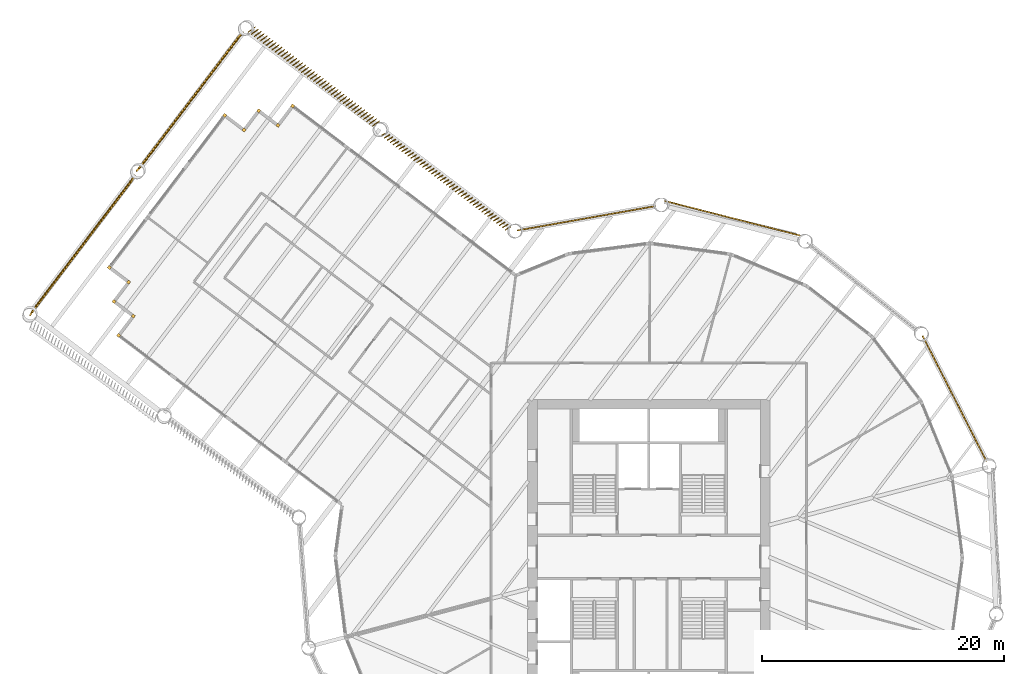
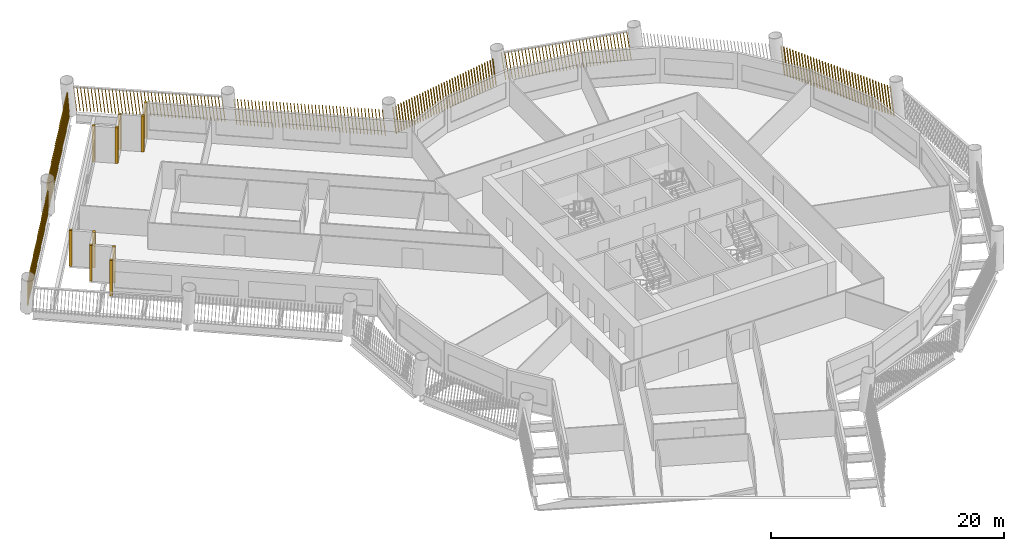
# One storey, part 14 of 16: 17 shading devices.
"""IFC4 building model written with IfcOpenShell, lengths in metres."""

from ifc_helpers import new_model, si_unit, direction, frame, frame_2d, origin, origin_2d, place, context, subcontext, project, spatial, rectangle, composite_profile, extrude, material, type_object, element, save


model = new_model("IFC4")

# Units and contexts
model_context = context("Model", 3, precision=1e-05, world=origin(), true_north=direction((0.0, 1.0)))
body_context = subcontext(model_context, "Body", "Model", "MODEL_VIEW")
ifc_project = project(units=[si_unit("LENGTHUNIT", "METRE"), si_unit("AREAUNIT", "SQUARE_METRE"), si_unit("VOLUMEUNIT", "CUBIC_METRE"), si_unit("PLANEANGLEUNIT", "RADIAN"), si_unit("MASSUNIT", "GRAM", prefix="KILO")], contexts=[model_context])

# Site, building, storey
site_placement = place(None, origin())
site = spatial("IfcSite", under=ifc_project, at=site_placement, CompositionType="ELEMENT")
building_placement = place(site_placement, origin())
building = spatial("IfcBuilding", under=site, at=building_placement, Name="Tarsis Ring Headquarters", CompositionType="ELEMENT")
storey_placement = place(building_placement, frame((0.0, 0.0, 120.10009765625)))
storey = spatial("IfcBuildingStorey", under=building, at=storey_placement, Name="L27", CompositionType="ELEMENT", Elevation=120.10009765625)

# Shading devices
ifc_material = material(Name="Terracotta baguette", Category="masonry")
shading_device_type_1 = type_object("IfcShadingDeviceType", Name="Terracotta baguette screen", PredefinedType="USERDEFINED", material=ifc_material)
shading_device_1_placement = place(storey_placement, frame((27.855224609375, 7.875732421875, 0.0), z_axis=(0.0, 0.0, 1.0), x_axis=(-0.453846988606, 0.891068909387, 0.0)))
element("IfcShadingDevice", 1, at=shading_device_1_placement, inside=storey, type_object=shading_device_type_1, Name="Baguette screen L27-11", ObjectType="Terracotta baguette screen", PredefinedType="USERDEFINED", context=body_context, shape_type="SweptSolid", body=[
    extrude(composite_profile([rectangle(XDim=0.06005859375, YDim=0.1201171875, at=frame_2d((0.030029296875, 0.0))), rectangle(XDim=0.06005859375, YDim=0.1201171875, at=frame_2d((0.33251953125, 0.0))), rectangle(XDim=0.06005859375, YDim=0.1201171875, at=frame_2d((0.634765625, 0.0))), rectangle(XDim=0.06005859375, YDim=0.1201171875, at=frame_2d((0.937255859375, 0.0))), rectangle(XDim=0.06005859375, YDim=0.1201171875, at=frame_2d((1.239501953125, 0.0))), rectangle(XDim=0.06005859375, YDim=0.1201171875, at=frame_2d((1.5419921875, 0.0))), rectangle(XDim=0.06005859375, YDim=0.1201171875, at=frame_2d((1.844482421875, 0.0))), rectangle(XDim=0.06005859375, YDim=0.1201171875, at=frame_2d((2.146728515625, 0.0))), rectangle(XDim=0.06005859375, YDim=0.1201171875, at=frame_2d((2.44921875, 0.0))), rectangle(XDim=0.06005859375, YDim=0.1201171875, at=frame_2d((2.751708984375, 0.0))), rectangle(XDim=0.06005859375, YDim=0.1201171875, at=frame_2d((3.053955078125, 0.0))), rectangle(XDim=0.06005859375, YDim=0.1201171875, at=frame_2d((3.3564453125, 0.0))), rectangle(XDim=0.06005859375, YDim=0.1201171875, at=frame_2d((3.65869140625, 0.0))), rectangle(XDim=0.06005859375, YDim=0.1201171875, at=frame_2d((3.961181640625, 0.0))), rectangle(XDim=0.06005859375, YDim=0.1201171875, at=frame_2d((4.263671875, 0.0))), rectangle(XDim=0.06005859375, YDim=0.1201171875, at=frame_2d((4.56591796875, 0.0))), rectangle(XDim=0.06005859375, YDim=0.1201171875, at=frame_2d((4.868408203125, 0.0))), rectangle(XDim=0.06005859375, YDim=0.1201171875, at=frame_2d((5.1708984375, 0.0))), rectangle(XDim=0.06005859375, YDim=0.1201171875, at=frame_2d((5.47314453125, 0.0))), rectangle(XDim=0.06005859375, YDim=0.1201171875, at=frame_2d((5.775634765625, 0.0))), rectangle(XDim=0.06005859375, YDim=0.1201171875, at=frame_2d((6.077880859375, 0.0))), rectangle(XDim=0.06005859375, YDim=0.1201171875, at=frame_2d((6.38037109375, 0.0))), rectangle(XDim=0.06005859375, YDim=0.1201171875, at=frame_2d((6.682861328125, 0.0))), rectangle(XDim=0.06005859375, YDim=0.1201171875, at=frame_2d((6.985107421875, 0.0))), rectangle(XDim=0.06005859375, YDim=0.1201171875, at=frame_2d((7.28759765625, 0.0))), rectangle(XDim=0.06005859375, YDim=0.1201171875, at=frame_2d((7.590087890625, 0.0))), rectangle(XDim=0.06005859375, YDim=0.1201171875, at=frame_2d((7.892333984375, 0.0))), rectangle(XDim=0.06005859375, YDim=0.1201171875, at=frame_2d((8.19482421875, 0.0))), rectangle(XDim=0.06005859375, YDim=0.1201171875, at=frame_2d((8.4970703125, 0.0))), rectangle(XDim=0.06005859375, YDim=0.1201171875, at=frame_2d((8.799560546875, 0.0))), rectangle(XDim=0.06005859375, YDim=0.1201171875, at=frame_2d((9.10205078125, 0.0))), rectangle(XDim=0.06005859375, YDim=0.1201171875, at=frame_2d((9.404296875, 0.0))), rectangle(XDim=0.06005859375, YDim=0.1201171875, at=frame_2d((9.706787109375, 0.0))), rectangle(XDim=0.06005859375, YDim=0.1201171875, at=frame_2d((10.00927734375, 0.0))), rectangle(XDim=0.06005859375, YDim=0.1201171875, at=frame_2d((10.3115234375, 0.0))), rectangle(XDim=0.06005859375, YDim=0.1201171875, at=frame_2d((10.614013671875, 0.0))), rectangle(XDim=0.06005859375, YDim=0.1201171875, at=frame_2d((10.916259765625, 0.0))), rectangle(XDim=0.06005859375, YDim=0.1201171875, at=frame_2d((11.21875, 0.0)))]), origin(), (0.129819305053, 0.000884424524, 0.991537274049), 2.9775390625),
])
shading_device_2_placement = place(storey_placement, frame((12.5673828125, 26.484619140625, 0.0), z_axis=(0.0, 0.0, 1.0), x_axis=(-0.968920238741, 0.247400976668, 0.0)))
element("IfcShadingDevice", 2, at=shading_device_2_placement, inside=storey, type_object=shading_device_type_1, Name="Baguette screen L27-13", ObjectType="Terracotta baguette screen", PredefinedType="USERDEFINED", context=body_context, shape_type="SweptSolid", body=[
    extrude(composite_profile([rectangle(XDim=0.06005859375, YDim=0.1201171875, at=frame_2d((0.030029296875, 0.0))), rectangle(XDim=0.06005859375, YDim=0.1201171875, at=frame_2d((0.33251953125, 0.0))), rectangle(XDim=0.06005859375, YDim=0.1201171875, at=frame_2d((0.634765625, 0.0))), rectangle(XDim=0.06005859375, YDim=0.1201171875, at=frame_2d((0.937255859375, 0.0))), rectangle(XDim=0.06005859375, YDim=0.1201171875, at=frame_2d((1.239501953125, 0.0))), rectangle(XDim=0.06005859375, YDim=0.1201171875, at=frame_2d((1.5419921875, 0.0))), rectangle(XDim=0.06005859375, YDim=0.1201171875, at=frame_2d((1.844482421875, 0.0))), rectangle(XDim=0.06005859375, YDim=0.1201171875, at=frame_2d((2.146728515625, 0.0))), rectangle(XDim=0.06005859375, YDim=0.1201171875, at=frame_2d((2.44921875, 0.0))), rectangle(XDim=0.06005859375, YDim=0.1201171875, at=frame_2d((2.751708984375, 0.0))), rectangle(XDim=0.06005859375, YDim=0.1201171875, at=frame_2d((3.053955078125, 0.0))), rectangle(XDim=0.06005859375, YDim=0.1201171875, at=frame_2d((3.3564453125, 0.0))), rectangle(XDim=0.06005859375, YDim=0.1201171875, at=frame_2d((3.65869140625, 0.0))), rectangle(XDim=0.06005859375, YDim=0.1201171875, at=frame_2d((3.961181640625, 0.0))), rectangle(XDim=0.06005859375, YDim=0.1201171875, at=frame_2d((4.263671875, 0.0))), rectangle(XDim=0.06005859375, YDim=0.1201171875, at=frame_2d((4.56591796875, 0.0))), rectangle(XDim=0.06005859375, YDim=0.1201171875, at=frame_2d((4.868408203125, 0.0))), rectangle(XDim=0.06005859375, YDim=0.1201171875, at=frame_2d((5.1708984375, 0.0))), rectangle(XDim=0.06005859375, YDim=0.1201171875, at=frame_2d((5.47314453125, 0.0))), rectangle(XDim=0.06005859375, YDim=0.1201171875, at=frame_2d((5.775634765625, 0.0))), rectangle(XDim=0.06005859375, YDim=0.1201171875, at=frame_2d((6.077880859375, 0.0))), rectangle(XDim=0.06005859375, YDim=0.1201171875, at=frame_2d((6.38037109375, 0.0))), rectangle(XDim=0.06005859375, YDim=0.1201171875, at=frame_2d((6.682861328125, 0.0))), rectangle(XDim=0.06005859375, YDim=0.1201171875, at=frame_2d((6.985107421875, 0.0))), rectangle(XDim=0.06005859375, YDim=0.1201171875, at=frame_2d((7.28759765625, 0.0))), rectangle(XDim=0.06005859375, YDim=0.1201171875, at=frame_2d((7.590087890625, 0.0))), rectangle(XDim=0.06005859375, YDim=0.1201171875, at=frame_2d((7.892333984375, 0.0))), rectangle(XDim=0.06005859375, YDim=0.1201171875, at=frame_2d((8.19482421875, 0.0))), rectangle(XDim=0.06005859375, YDim=0.1201171875, at=frame_2d((8.4970703125, 0.0))), rectangle(XDim=0.06005859375, YDim=0.1201171875, at=frame_2d((8.799560546875, 0.0))), rectangle(XDim=0.06005859375, YDim=0.1201171875, at=frame_2d((9.10205078125, 0.0))), rectangle(XDim=0.06005859375, YDim=0.1201171875, at=frame_2d((9.404296875, 0.0))), rectangle(XDim=0.06005859375, YDim=0.1201171875, at=frame_2d((9.706787109375, 0.0))), rectangle(XDim=0.06005859375, YDim=0.1201171875, at=frame_2d((10.00927734375, 0.0))), rectangle(XDim=0.06005859375, YDim=0.1201171875, at=frame_2d((10.3115234375, 0.0))), rectangle(XDim=0.06005859375, YDim=0.1201171875, at=frame_2d((10.614013671875, 0.0))), rectangle(XDim=0.06005859375, YDim=0.1201171875, at=frame_2d((10.916259765625, 0.0))), rectangle(XDim=0.06005859375, YDim=0.1201171875, at=frame_2d((11.21875, 0.0)))]), origin(), (0.13150657601, 0.00089473703, 0.991314894426), 2.978271484375),
])
shading_device_3_placement = place(storey_placement, frame((0.5986328125, 28.94091796875, 0.0), z_axis=(0.0, 0.0, 1.0), x_axis=(-0.984763641099, -0.173959282893, 0.0)))
element("IfcShadingDevice", 3, at=shading_device_3_placement, inside=storey, type_object=shading_device_type_1, Name="Baguette screen L27-14", ObjectType="Terracotta baguette screen", PredefinedType="USERDEFINED", context=body_context, shape_type="SweptSolid", body=[
    extrude(composite_profile([rectangle(XDim=0.06005859375, YDim=0.1201171875, at=frame_2d((0.030029296875, 0.0))), rectangle(XDim=0.06005859375, YDim=0.1201171875, at=frame_2d((0.33251953125, 0.0))), rectangle(XDim=0.06005859375, YDim=0.1201171875, at=frame_2d((0.634765625, 0.0))), rectangle(XDim=0.06005859375, YDim=0.1201171875, at=frame_2d((0.937255859375, 0.0))), rectangle(XDim=0.06005859375, YDim=0.1201171875, at=frame_2d((1.239501953125, 0.0))), rectangle(XDim=0.06005859375, YDim=0.1201171875, at=frame_2d((1.5419921875, 0.0))), rectangle(XDim=0.06005859375, YDim=0.1201171875, at=frame_2d((1.844482421875, 0.0))), rectangle(XDim=0.06005859375, YDim=0.1201171875, at=frame_2d((2.146728515625, 0.0))), rectangle(XDim=0.06005859375, YDim=0.1201171875, at=frame_2d((2.44921875, 0.0))), rectangle(XDim=0.06005859375, YDim=0.1201171875, at=frame_2d((2.751708984375, 0.0))), rectangle(XDim=0.06005859375, YDim=0.1201171875, at=frame_2d((3.053955078125, 0.0))), rectangle(XDim=0.06005859375, YDim=0.1201171875, at=frame_2d((3.3564453125, 0.0))), rectangle(XDim=0.06005859375, YDim=0.1201171875, at=frame_2d((3.65869140625, 0.0))), rectangle(XDim=0.06005859375, YDim=0.1201171875, at=frame_2d((3.961181640625, 0.0))), rectangle(XDim=0.06005859375, YDim=0.1201171875, at=frame_2d((4.263671875, 0.0))), rectangle(XDim=0.06005859375, YDim=0.1201171875, at=frame_2d((4.56591796875, 0.0))), rectangle(XDim=0.06005859375, YDim=0.1201171875, at=frame_2d((4.868408203125, 0.0))), rectangle(XDim=0.06005859375, YDim=0.1201171875, at=frame_2d((5.1708984375, 0.0))), rectangle(XDim=0.06005859375, YDim=0.1201171875, at=frame_2d((5.47314453125, 0.0))), rectangle(XDim=0.06005859375, YDim=0.1201171875, at=frame_2d((5.775634765625, 0.0))), rectangle(XDim=0.06005859375, YDim=0.1201171875, at=frame_2d((6.077880859375, 0.0))), rectangle(XDim=0.06005859375, YDim=0.1201171875, at=frame_2d((6.38037109375, 0.0))), rectangle(XDim=0.06005859375, YDim=0.1201171875, at=frame_2d((6.682861328125, 0.0))), rectangle(XDim=0.06005859375, YDim=0.1201171875, at=frame_2d((6.985107421875, 0.0))), rectangle(XDim=0.06005859375, YDim=0.1201171875, at=frame_2d((7.28759765625, 0.0))), rectangle(XDim=0.06005859375, YDim=0.1201171875, at=frame_2d((7.590087890625, 0.0))), rectangle(XDim=0.06005859375, YDim=0.1201171875, at=frame_2d((7.892333984375, 0.0))), rectangle(XDim=0.06005859375, YDim=0.1201171875, at=frame_2d((8.19482421875, 0.0))), rectangle(XDim=0.06005859375, YDim=0.1201171875, at=frame_2d((8.4970703125, 0.0))), rectangle(XDim=0.06005859375, YDim=0.1201171875, at=frame_2d((8.799560546875, 0.0))), rectangle(XDim=0.06005859375, YDim=0.1201171875, at=frame_2d((9.10205078125, 0.0))), rectangle(XDim=0.06005859375, YDim=0.1201171875, at=frame_2d((9.404296875, 0.0))), rectangle(XDim=0.06005859375, YDim=0.1201171875, at=frame_2d((9.706787109375, 0.0))), rectangle(XDim=0.06005859375, YDim=0.1201171875, at=frame_2d((10.00927734375, 0.0))), rectangle(XDim=0.06005859375, YDim=0.1201171875, at=frame_2d((10.3115234375, 0.0))), rectangle(XDim=0.06005859375, YDim=0.1201171875, at=frame_2d((10.614013671875, 0.0))), rectangle(XDim=0.06005859375, YDim=0.1201171875, at=frame_2d((10.916259765625, 0.0))), rectangle(XDim=0.06005859375, YDim=0.1201171875, at=frame_2d((11.21875, 0.0)))]), origin(), (0.129822153765, 0.000885413169, 0.991536900189), 2.9775390625),
])
shading_device_4_placement = place(storey_placement, frame((-11.369384765625, 27.19921875, 0.0), z_axis=(0.0, 0.0, 1.0), x_axis=(-0.796737814108, 0.604318044202, 0.0)))
element("IfcShadingDevice", 4, at=shading_device_4_placement, inside=storey, type_object=shading_device_type_1, Name="Baguette screen L27-15", ObjectType="Terracotta baguette screen", PredefinedType="USERDEFINED", context=body_context, shape_type="SweptSolid", body=[
    extrude(composite_profile([rectangle(XDim=0.06005859375, YDim=0.1201171875, at=frame_2d((0.030029296875, 0.0))), rectangle(XDim=0.06005859375, YDim=0.1201171875, at=frame_2d((0.335693359375, 0.0))), rectangle(XDim=0.06005859375, YDim=0.1201171875, at=frame_2d((0.6416015625, 0.0))), rectangle(XDim=0.06005859375, YDim=0.1201171875, at=frame_2d((0.947265625, 0.0))), rectangle(XDim=0.06005859375, YDim=0.1201171875, at=frame_2d((1.253173828125, 0.0))), rectangle(XDim=0.06005859375, YDim=0.1201171875, at=frame_2d((1.558837890625, 0.0))), rectangle(XDim=0.06005859375, YDim=0.1201171875, at=frame_2d((1.864501953125, 0.0))), rectangle(XDim=0.06005859375, YDim=0.1201171875, at=frame_2d((2.17041015625, 0.0))), rectangle(XDim=0.06005859375, YDim=0.1201171875, at=frame_2d((2.47607421875, 0.0))), rectangle(XDim=0.06005859375, YDim=0.1201171875, at=frame_2d((2.781982421875, 0.0))), rectangle(XDim=0.06005859375, YDim=0.1201171875, at=frame_2d((3.087646484375, 0.0))), rectangle(XDim=0.06005859375, YDim=0.1201171875, at=frame_2d((3.393310546875, 0.0))), rectangle(XDim=0.06005859375, YDim=0.1201171875, at=frame_2d((3.69921875, 0.0))), rectangle(XDim=0.06005859375, YDim=0.1201171875, at=frame_2d((4.0048828125, 0.0))), rectangle(XDim=0.06005859375, YDim=0.1201171875, at=frame_2d((4.310791015625, 0.0))), rectangle(XDim=0.06005859375, YDim=0.1201171875, at=frame_2d((4.616455078125, 0.0))), rectangle(XDim=0.06005859375, YDim=0.1201171875, at=frame_2d((4.922119140625, 0.0))), rectangle(XDim=0.06005859375, YDim=0.1201171875, at=frame_2d((5.22802734375, 0.0))), rectangle(XDim=0.06005859375, YDim=0.1201171875, at=frame_2d((5.53369140625, 0.0))), rectangle(XDim=0.06005859375, YDim=0.1201171875, at=frame_2d((5.839599609375, 0.0))), rectangle(XDim=0.06005859375, YDim=0.1201171875, at=frame_2d((6.145263671875, 0.0))), rectangle(XDim=0.06005859375, YDim=0.1201171875, at=frame_2d((6.451171875, 0.0))), rectangle(XDim=0.06005859375, YDim=0.1201171875, at=frame_2d((6.7568359375, 0.0))), rectangle(XDim=0.06005859375, YDim=0.1201171875, at=frame_2d((7.0625, 0.0))), rectangle(XDim=0.06005859375, YDim=0.1201171875, at=frame_2d((7.368408203125, 0.0))), rectangle(XDim=0.06005859375, YDim=0.1201171875, at=frame_2d((7.674072265625, 0.0))), rectangle(XDim=0.06005859375, YDim=0.1201171875, at=frame_2d((7.97998046875, 0.0))), rectangle(XDim=0.06005859375, YDim=0.1201171875, at=frame_2d((8.28564453125, 0.0))), rectangle(XDim=0.06005859375, YDim=0.1201171875, at=frame_2d((8.59130859375, 0.0))), rectangle(XDim=0.06005859375, YDim=0.1201171875, at=frame_2d((8.897216796875, 0.0))), rectangle(XDim=0.06005859375, YDim=0.1201171875, at=frame_2d((9.202880859375, 0.0))), rectangle(XDim=0.06005859375, YDim=0.1201171875, at=frame_2d((9.5087890625, 0.0))), rectangle(XDim=0.06005859375, YDim=0.1201171875, at=frame_2d((9.814453125, 0.0))), rectangle(XDim=0.06005859375, YDim=0.1201171875, at=frame_2d((10.1201171875, 0.0))), rectangle(XDim=0.06005859375, YDim=0.1201171875, at=frame_2d((10.426025390625, 0.0))), rectangle(XDim=0.06005859375, YDim=0.1201171875, at=frame_2d((10.731689453125, 0.0))), rectangle(XDim=0.06005859375, YDim=0.1201171875, at=frame_2d((11.03759765625, 0.0))), rectangle(XDim=0.06005859375, YDim=0.1201171875, at=frame_2d((11.34326171875, 0.0))), rectangle(XDim=0.06005859375, YDim=0.1201171875, at=frame_2d((11.64892578125, 0.0))), rectangle(XDim=0.06005859375, YDim=0.1201171875, at=frame_2d((11.954833984375, 0.0))), rectangle(XDim=0.06005859375, YDim=0.1201171875, at=frame_2d((12.260498046875, 0.0))), rectangle(XDim=0.06005859375, YDim=0.1201171875, at=frame_2d((12.56640625, 0.0))), rectangle(XDim=0.06005859375, YDim=0.1201171875, at=frame_2d((12.8720703125, 0.0)))]), origin(), (0.066369389758, 0.145856484604, 0.987076992945), 2.990966796875),
])
shading_device_5_placement = place(storey_placement, frame((-22.21923828125, 35.8994140625, 0.0), z_axis=(0.0, 0.0, 1.0), x_axis=(-0.796737814108, 0.604318044202, 0.0)))
element("IfcShadingDevice", 5, at=shading_device_5_placement, inside=storey, type_object=shading_device_type_1, Name="Baguette screen L27-16", ObjectType="Terracotta baguette screen", PredefinedType="USERDEFINED", context=body_context, shape_type="SweptSolid", body=[
    extrude(composite_profile([rectangle(XDim=0.06005859375, YDim=0.1201171875, at=frame_2d((0.030029296875, 0.0))), rectangle(XDim=0.06005859375, YDim=0.1201171875, at=frame_2d((0.335693359375, 0.0))), rectangle(XDim=0.06005859375, YDim=0.1201171875, at=frame_2d((0.6416015625, 0.0))), rectangle(XDim=0.06005859375, YDim=0.1201171875, at=frame_2d((0.947265625, 0.0))), rectangle(XDim=0.06005859375, YDim=0.1201171875, at=frame_2d((1.253173828125, 0.0))), rectangle(XDim=0.06005859375, YDim=0.1201171875, at=frame_2d((1.558837890625, 0.0))), rectangle(XDim=0.06005859375, YDim=0.1201171875, at=frame_2d((1.864501953125, 0.0))), rectangle(XDim=0.06005859375, YDim=0.1201171875, at=frame_2d((2.17041015625, 0.0))), rectangle(XDim=0.06005859375, YDim=0.1201171875, at=frame_2d((2.47607421875, 0.0))), rectangle(XDim=0.06005859375, YDim=0.1201171875, at=frame_2d((2.781982421875, 0.0))), rectangle(XDim=0.06005859375, YDim=0.1201171875, at=frame_2d((3.087646484375, 0.0))), rectangle(XDim=0.06005859375, YDim=0.1201171875, at=frame_2d((3.393310546875, 0.0))), rectangle(XDim=0.06005859375, YDim=0.1201171875, at=frame_2d((3.69921875, 0.0))), rectangle(XDim=0.06005859375, YDim=0.1201171875, at=frame_2d((4.0048828125, 0.0))), rectangle(XDim=0.06005859375, YDim=0.1201171875, at=frame_2d((4.310791015625, 0.0))), rectangle(XDim=0.06005859375, YDim=0.1201171875, at=frame_2d((4.616455078125, 0.0))), rectangle(XDim=0.06005859375, YDim=0.1201171875, at=frame_2d((4.922119140625, 0.0))), rectangle(XDim=0.06005859375, YDim=0.1201171875, at=frame_2d((5.22802734375, 0.0))), rectangle(XDim=0.06005859375, YDim=0.1201171875, at=frame_2d((5.53369140625, 0.0))), rectangle(XDim=0.06005859375, YDim=0.1201171875, at=frame_2d((5.839599609375, 0.0))), rectangle(XDim=0.06005859375, YDim=0.1201171875, at=frame_2d((6.145263671875, 0.0))), rectangle(XDim=0.06005859375, YDim=0.1201171875, at=frame_2d((6.451171875, 0.0))), rectangle(XDim=0.06005859375, YDim=0.1201171875, at=frame_2d((6.7568359375, 0.0))), rectangle(XDim=0.06005859375, YDim=0.1201171875, at=frame_2d((7.0625, 0.0))), rectangle(XDim=0.06005859375, YDim=0.1201171875, at=frame_2d((7.368408203125, 0.0))), rectangle(XDim=0.06005859375, YDim=0.1201171875, at=frame_2d((7.674072265625, 0.0))), rectangle(XDim=0.06005859375, YDim=0.1201171875, at=frame_2d((7.97998046875, 0.0))), rectangle(XDim=0.06005859375, YDim=0.1201171875, at=frame_2d((8.28564453125, 0.0))), rectangle(XDim=0.06005859375, YDim=0.1201171875, at=frame_2d((8.59130859375, 0.0))), rectangle(XDim=0.06005859375, YDim=0.1201171875, at=frame_2d((8.897216796875, 0.0))), rectangle(XDim=0.06005859375, YDim=0.1201171875, at=frame_2d((9.202880859375, 0.0))), rectangle(XDim=0.06005859375, YDim=0.1201171875, at=frame_2d((9.5087890625, 0.0))), rectangle(XDim=0.06005859375, YDim=0.1201171875, at=frame_2d((9.814453125, 0.0))), rectangle(XDim=0.06005859375, YDim=0.1201171875, at=frame_2d((10.1201171875, 0.0))), rectangle(XDim=0.06005859375, YDim=0.1201171875, at=frame_2d((10.426025390625, 0.0))), rectangle(XDim=0.06005859375, YDim=0.1201171875, at=frame_2d((10.731689453125, 0.0))), rectangle(XDim=0.06005859375, YDim=0.1201171875, at=frame_2d((11.03759765625, 0.0))), rectangle(XDim=0.06005859375, YDim=0.1201171875, at=frame_2d((11.34326171875, 0.0))), rectangle(XDim=0.06005859375, YDim=0.1201171875, at=frame_2d((11.64892578125, 0.0))), rectangle(XDim=0.06005859375, YDim=0.1201171875, at=frame_2d((11.954833984375, 0.0))), rectangle(XDim=0.06005859375, YDim=0.1201171875, at=frame_2d((12.260498046875, 0.0))), rectangle(XDim=0.06005859375, YDim=0.1201171875, at=frame_2d((12.56640625, 0.0))), rectangle(XDim=0.06005859375, YDim=0.1201171875, at=frame_2d((12.8720703125, 0.0)))]), origin(), (0.066892202656, 0.20681353153, 0.976090977522), 3.024658203125),
])
shading_device_6_placement = place(storey_placement, frame((-33.426025390625, 43.301513671875, 0.0), z_axis=(0.0, 0.0, 1.0), x_axis=(-0.604334365325, -0.796727111897, 0.0)))
element("IfcShadingDevice", 6, at=shading_device_6_placement, inside=storey, type_object=shading_device_type_1, Name="Baguette screen L27-17", ObjectType="Terracotta baguette screen", PredefinedType="USERDEFINED", context=body_context, shape_type="SweptSolid", body=[
    extrude(composite_profile([rectangle(XDim=0.06005859375, YDim=0.1201171875, at=frame_2d((0.030029296875, 0.0))), rectangle(XDim=0.06005859375, YDim=0.1201171875, at=frame_2d((0.33544921875, 0.0))), rectangle(XDim=0.06005859375, YDim=0.1201171875, at=frame_2d((0.640625, 0.0))), rectangle(XDim=0.06005859375, YDim=0.1201171875, at=frame_2d((0.946044921875, 0.0))), rectangle(XDim=0.06005859375, YDim=0.1201171875, at=frame_2d((1.25146484375, 0.0))), rectangle(XDim=0.06005859375, YDim=0.1201171875, at=frame_2d((1.556640625, 0.0))), rectangle(XDim=0.06005859375, YDim=0.1201171875, at=frame_2d((1.862060546875, 0.0))), rectangle(XDim=0.06005859375, YDim=0.1201171875, at=frame_2d((2.16748046875, 0.0))), rectangle(XDim=0.06005859375, YDim=0.1201171875, at=frame_2d((2.47265625, 0.0))), rectangle(XDim=0.06005859375, YDim=0.1201171875, at=frame_2d((2.778076171875, 0.0))), rectangle(XDim=0.06005859375, YDim=0.1201171875, at=frame_2d((3.08349609375, 0.0))), rectangle(XDim=0.06005859375, YDim=0.1201171875, at=frame_2d((3.388671875, 0.0))), rectangle(XDim=0.06005859375, YDim=0.1201171875, at=frame_2d((3.694091796875, 0.0))), rectangle(XDim=0.06005859375, YDim=0.1201171875, at=frame_2d((3.99951171875, 0.0))), rectangle(XDim=0.06005859375, YDim=0.1201171875, at=frame_2d((4.3046875, 0.0))), rectangle(XDim=0.06005859375, YDim=0.1201171875, at=frame_2d((4.610107421875, 0.0))), rectangle(XDim=0.06005859375, YDim=0.1201171875, at=frame_2d((4.91552734375, 0.0))), rectangle(XDim=0.06005859375, YDim=0.1201171875, at=frame_2d((5.220703125, 0.0))), rectangle(XDim=0.06005859375, YDim=0.1201171875, at=frame_2d((5.526123046875, 0.0))), rectangle(XDim=0.06005859375, YDim=0.1201171875, at=frame_2d((5.83154296875, 0.0))), rectangle(XDim=0.06005859375, YDim=0.1201171875, at=frame_2d((6.13671875, 0.0))), rectangle(XDim=0.06005859375, YDim=0.1201171875, at=frame_2d((6.442138671875, 0.0))), rectangle(XDim=0.06005859375, YDim=0.1201171875, at=frame_2d((6.74755859375, 0.0))), rectangle(XDim=0.06005859375, YDim=0.1201171875, at=frame_2d((7.052734375, 0.0))), rectangle(XDim=0.06005859375, YDim=0.1201171875, at=frame_2d((7.358154296875, 0.0))), rectangle(XDim=0.06005859375, YDim=0.1201171875, at=frame_2d((7.66357421875, 0.0))), rectangle(XDim=0.06005859375, YDim=0.1201171875, at=frame_2d((7.96875, 0.0))), rectangle(XDim=0.06005859375, YDim=0.1201171875, at=frame_2d((8.274169921875, 0.0))), rectangle(XDim=0.06005859375, YDim=0.1201171875, at=frame_2d((8.57958984375, 0.0))), rectangle(XDim=0.06005859375, YDim=0.1201171875, at=frame_2d((8.884765625, 0.0))), rectangle(XDim=0.06005859375, YDim=0.1201171875, at=frame_2d((9.190185546875, 0.0))), rectangle(XDim=0.06005859375, YDim=0.1201171875, at=frame_2d((9.49560546875, 0.0))), rectangle(XDim=0.06005859375, YDim=0.1201171875, at=frame_2d((9.80078125, 0.0))), rectangle(XDim=0.06005859375, YDim=0.1201171875, at=frame_2d((10.106201171875, 0.0))), rectangle(XDim=0.06005859375, YDim=0.1201171875, at=frame_2d((10.41162109375, 0.0))), rectangle(XDim=0.06005859375, YDim=0.1201171875, at=frame_2d((10.716796875, 0.0))), rectangle(XDim=0.06005859375, YDim=0.1201171875, at=frame_2d((11.022216796875, 0.0))), rectangle(XDim=0.06005859375, YDim=0.1201171875, at=frame_2d((11.32763671875, 0.0))), rectangle(XDim=0.06005859375, YDim=0.1201171875, at=frame_2d((11.6328125, 0.0))), rectangle(XDim=0.06005859375, YDim=0.1201171875, at=frame_2d((11.938232421875, 0.0))), rectangle(XDim=0.06005859375, YDim=0.1201171875, at=frame_2d((12.24365234375, 0.0))), rectangle(XDim=0.06005859375, YDim=0.1201171875, at=frame_2d((12.548828125, 0.0))), rectangle(XDim=0.06005859375, YDim=0.1201171875, at=frame_2d((12.854248046875, 0.0))), rectangle(XDim=0.06005859375, YDim=0.1201171875, at=frame_2d((13.15966796875, 0.0))), rectangle(XDim=0.06005859375, YDim=0.1201171875, at=frame_2d((13.46484375, 0.0))), rectangle(XDim=0.06005859375, YDim=0.1201171875, at=frame_2d((13.770263671875, 0.0)))]), origin(), (0.23664112405, -0.031519960707, 0.971085717373), 3.040283203125),
])
shading_device_7_placement = place(storey_placement, frame((-42.3701171875, 31.509765625, 0.0), z_axis=(0.0, 0.0, 1.0), x_axis=(-0.604316674038, -0.796744803184, 0.0)))
element("IfcShadingDevice", 7, at=shading_device_7_placement, inside=storey, type_object=shading_device_type_1, Name="Baguette screen L27-18", ObjectType="Terracotta baguette screen", PredefinedType="USERDEFINED", context=body_context, shape_type="SweptSolid", body=[
    extrude(composite_profile([rectangle(XDim=0.06005859375, YDim=0.1201171875, at=frame_2d((0.030029296875, 0.0))), rectangle(XDim=0.06005859375, YDim=0.1201171875, at=frame_2d((0.33544921875, 0.0))), rectangle(XDim=0.06005859375, YDim=0.1201171875, at=frame_2d((0.640625, 0.0))), rectangle(XDim=0.06005859375, YDim=0.1201171875, at=frame_2d((0.946044921875, 0.0))), rectangle(XDim=0.06005859375, YDim=0.1201171875, at=frame_2d((1.25146484375, 0.0))), rectangle(XDim=0.06005859375, YDim=0.1201171875, at=frame_2d((1.556640625, 0.0))), rectangle(XDim=0.06005859375, YDim=0.1201171875, at=frame_2d((1.862060546875, 0.0))), rectangle(XDim=0.06005859375, YDim=0.1201171875, at=frame_2d((2.16748046875, 0.0))), rectangle(XDim=0.06005859375, YDim=0.1201171875, at=frame_2d((2.47265625, 0.0))), rectangle(XDim=0.06005859375, YDim=0.1201171875, at=frame_2d((2.778076171875, 0.0))), rectangle(XDim=0.06005859375, YDim=0.1201171875, at=frame_2d((3.08349609375, 0.0))), rectangle(XDim=0.06005859375, YDim=0.1201171875, at=frame_2d((3.388671875, 0.0))), rectangle(XDim=0.06005859375, YDim=0.1201171875, at=frame_2d((3.694091796875, 0.0))), rectangle(XDim=0.06005859375, YDim=0.1201171875, at=frame_2d((3.99951171875, 0.0))), rectangle(XDim=0.06005859375, YDim=0.1201171875, at=frame_2d((4.3046875, 0.0))), rectangle(XDim=0.06005859375, YDim=0.1201171875, at=frame_2d((4.610107421875, 0.0))), rectangle(XDim=0.06005859375, YDim=0.1201171875, at=frame_2d((4.91552734375, 0.0))), rectangle(XDim=0.06005859375, YDim=0.1201171875, at=frame_2d((5.220703125, 0.0))), rectangle(XDim=0.06005859375, YDim=0.1201171875, at=frame_2d((5.526123046875, 0.0))), rectangle(XDim=0.06005859375, YDim=0.1201171875, at=frame_2d((5.83154296875, 0.0))), rectangle(XDim=0.06005859375, YDim=0.1201171875, at=frame_2d((6.13671875, 0.0))), rectangle(XDim=0.06005859375, YDim=0.1201171875, at=frame_2d((6.442138671875, 0.0))), rectangle(XDim=0.06005859375, YDim=0.1201171875, at=frame_2d((6.74755859375, 0.0))), rectangle(XDim=0.06005859375, YDim=0.1201171875, at=frame_2d((7.052734375, 0.0))), rectangle(XDim=0.06005859375, YDim=0.1201171875, at=frame_2d((7.358154296875, 0.0))), rectangle(XDim=0.06005859375, YDim=0.1201171875, at=frame_2d((7.66357421875, 0.0))), rectangle(XDim=0.06005859375, YDim=0.1201171875, at=frame_2d((7.96875, 0.0))), rectangle(XDim=0.06005859375, YDim=0.1201171875, at=frame_2d((8.274169921875, 0.0))), rectangle(XDim=0.06005859375, YDim=0.1201171875, at=frame_2d((8.57958984375, 0.0))), rectangle(XDim=0.06005859375, YDim=0.1201171875, at=frame_2d((8.884765625, 0.0))), rectangle(XDim=0.06005859375, YDim=0.1201171875, at=frame_2d((9.190185546875, 0.0))), rectangle(XDim=0.06005859375, YDim=0.1201171875, at=frame_2d((9.49560546875, 0.0))), rectangle(XDim=0.06005859375, YDim=0.1201171875, at=frame_2d((9.80078125, 0.0))), rectangle(XDim=0.06005859375, YDim=0.1201171875, at=frame_2d((10.106201171875, 0.0))), rectangle(XDim=0.06005859375, YDim=0.1201171875, at=frame_2d((10.41162109375, 0.0))), rectangle(XDim=0.06005859375, YDim=0.1201171875, at=frame_2d((10.716796875, 0.0))), rectangle(XDim=0.06005859375, YDim=0.1201171875, at=frame_2d((11.022216796875, 0.0))), rectangle(XDim=0.06005859375, YDim=0.1201171875, at=frame_2d((11.32763671875, 0.0))), rectangle(XDim=0.06005859375, YDim=0.1201171875, at=frame_2d((11.6328125, 0.0))), rectangle(XDim=0.06005859375, YDim=0.1201171875, at=frame_2d((11.938232421875, 0.0))), rectangle(XDim=0.06005859375, YDim=0.1201171875, at=frame_2d((12.24365234375, 0.0))), rectangle(XDim=0.06005859375, YDim=0.1201171875, at=frame_2d((12.548828125, 0.0))), rectangle(XDim=0.06005859375, YDim=0.1201171875, at=frame_2d((12.854248046875, 0.0))), rectangle(XDim=0.06005859375, YDim=0.1201171875, at=frame_2d((13.15966796875, 0.0))), rectangle(XDim=0.06005859375, YDim=0.1201171875, at=frame_2d((13.46484375, 0.0))), rectangle(XDim=0.06005859375, YDim=0.1201171875, at=frame_2d((13.770263671875, 0.0)))]), origin(), (0.236190208214, 0.034741988659, 0.971085567686), 3.040283203125),
])
shading_device_type_2 = type_object("IfcShadingDeviceType", Name="Terracotta corner baguette 250x250", PredefinedType="USERDEFINED", material=ifc_material)
for number, where, z_axis, x_axis, name in (
    (8, (-43.726806640625, 18.261962890625, 0.0), (0.0, 0.0, 1.0), (-0.604321286944, -0.796740724544, 0.0), "Corner baguette L27-01"),
    (9, (-29.374267578125, 37.1845703125, 0.0), (0.0, 0.0, 1.0), (-0.796740946039, 0.604320994923, 0.0), "Corner baguette L27-32"),
    (10, (-30.582763671875, 35.591064453125, 0.0), (0.0, 0.0, 1.0), (-0.604320897583, -0.796741019871, 0.0), "Corner baguette L27-33"),
    (11, (-32.17626953125, 36.7998046875, 0.0), (0.0, 0.0, 1.0), (-0.796740967134, 0.604320967112, 0.0), "Corner baguette L27-34"),
    (12, (-33.385009765625, 35.206298828125, 0.0), (0.0, 0.0, 1.0), (-0.604321286944, -0.796740724544, 0.0), "Corner baguette L27-35"),
    (13, (-34.978515625, 36.414794921875, 0.0), (0.0, 0.0, 1.0), (-0.796740967134, 0.604320967112, 0.0), "Corner baguette L27-36"),
    (14, (-44.49658203125, 23.8662109375, 0.0), (0.0, 0.0, 1.0), (-0.604321036641, -0.796740914397, 0.0), "Corner baguette L27-37"),
    (15, (-42.903076171875, 22.657470703125, 0.0), (0.0, 0.0, 1.0), (0.796740724544, -0.604321286944, 0.0), "Corner baguette L27-38"),
    (16, (-44.111572265625, 21.06396484375, 0.0), (0.0, 0.0, 1.0), (-0.604320967112, -0.796740967134, 0.0), "Corner baguette L27-39"),
    (17, (-42.51806640625, 19.85546875, 0.0), (0.0, 0.0, 1.0), (0.796741199176, -0.604320661185, 0.0), "Corner baguette L27-40"),
):
    element("IfcShadingDevice", number, at=place(storey_placement, frame(where, z_axis=z_axis, x_axis=x_axis)), inside=storey, type_object=shading_device_type_2, Name=name, ObjectType="Terracotta corner baguette", PredefinedType="USERDEFINED", context=body_context, shape_type="SweptSolid", body=[
        extrude(rectangle(XDim=0.25, YDim=0.25, at=origin_2d()), origin(), (0.0, 0.0, 1.0), 3.739990234375),
    ])

save(model, "model.ifc")
